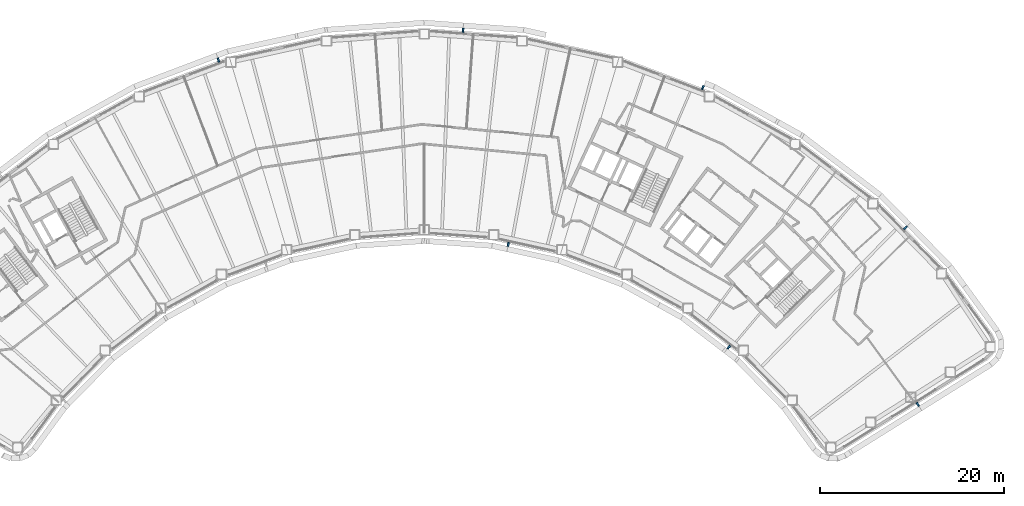
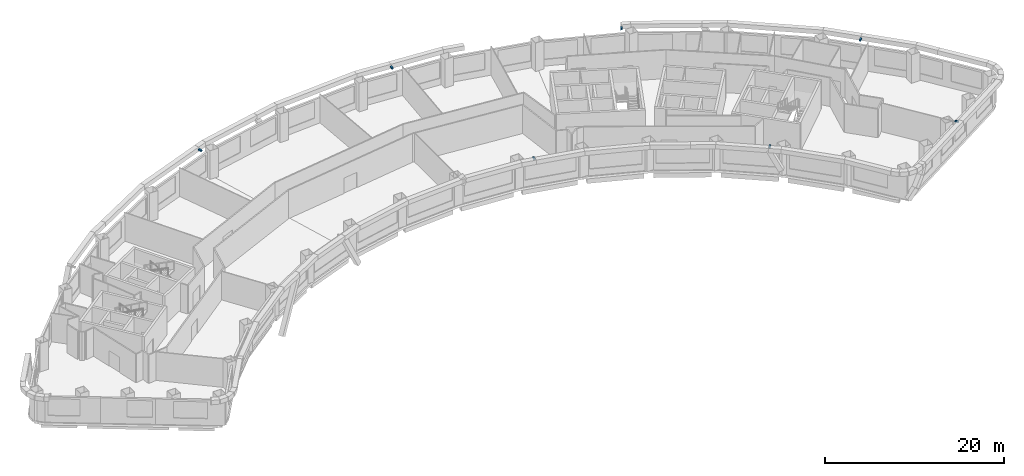
# One storey, part 10 of 13: 7 discrete accessories.
"""IFC4 building model written with IfcOpenShell, lengths in metres."""

from ifc_helpers import new_model, si_unit, direction, frame, origin, origin_2d, place, context, subcontext, project, spatial, rectangle, extrude, material, type_object, element, save


model = new_model("IFC4")

# Units and contexts
model_context = context("Model", 3, precision=1e-05, world=origin(), true_north=direction((0.0, 1.0)))
body_context = subcontext(model_context, "Body", "Model", "MODEL_VIEW")
ifc_project = project(units=[si_unit("LENGTHUNIT", "METRE"), si_unit("AREAUNIT", "SQUARE_METRE"), si_unit("VOLUMEUNIT", "CUBIC_METRE"), si_unit("PLANEANGLEUNIT", "RADIAN"), si_unit("MASSUNIT", "GRAM", prefix="KILO")], contexts=[model_context])

# Site, building, storey
site_placement = place(None, origin())
site = spatial("IfcSite", under=ifc_project, at=site_placement, CompositionType="ELEMENT")
building_placement = place(site_placement, origin())
building = spatial("IfcBuilding", under=site, at=building_placement, Name="Tuul Gate Civic Tower", CompositionType="ELEMENT")
storey_placement = place(building_placement, frame((0.0, 0.0, 111.89990234375)))
storey = spatial("IfcBuildingStorey", under=building, at=storey_placement, Name="Level 25", CompositionType="ELEMENT", Elevation=111.89990234375)

# Discrete accessories
ifc_material = material(Name="Stainless steel", Category="steel")
discrete_accessory_type = type_object("IfcDiscreteAccessoryType", Name="Screen bracket", PredefinedType="BRACKET", material=ifc_material)
discrete_accessory_1_placement = place(storey_placement, frame((62.26416015625, -7.44921875, 3.75), z_axis=(0.0, 0.0, 1.0), x_axis=(0.704912803401, 0.709293972624, 0.0)))
element("IfcDiscreteAccessory", 1, at=discrete_accessory_1_placement, inside=storey, type_object=discrete_accessory_type, Name="Screen bracket 3", PredefinedType="BRACKET", context=body_context, shape_type="SweptSolid", body=[
    extrude(rectangle(XDim=0.449951171875, YDim=0.199951171875, at=origin_2d()), origin(), (0.0, 0.0, 1.0), 0.199951171875),
])
discrete_accessory_2_placement = place(storey_placement, frame((40.18359375, 7.830078125, 3.75), z_axis=(0.0, 0.0, 1.0), x_axis=(0.407379100768, 0.913259146276, 0.0)))
element("IfcDiscreteAccessory", 2, at=discrete_accessory_2_placement, inside=storey, type_object=discrete_accessory_type, Name="Screen bracket 6", PredefinedType="BRACKET", context=body_context, shape_type="SweptSolid", body=[
    extrude(rectangle(XDim=0.45068359375, YDim=0.199951171875, at=origin_2d()), origin(), (0.0, 0.0, 1.0), 0.199951171875),
])
discrete_accessory_3_placement = place(storey_placement, frame((14.054443359375, 14.05712890625, 3.75), z_axis=(0.0, 0.0, 1.0), x_axis=(0.056821733732, 0.998384340109, 0.0)))
element("IfcDiscreteAccessory", 3, at=discrete_accessory_3_placement, inside=storey, type_object=discrete_accessory_type, Name="Screen bracket 9", PredefinedType="BRACKET", context=body_context, shape_type="SweptSolid", body=[
    extrude(rectangle(XDim=0.4501953125, YDim=0.199951171875, at=origin_2d()), origin(), (0.0, 0.0, 1.0), 0.199951171875),
])
discrete_accessory_4_placement = place(storey_placement, frame((-12.60009765625, 10.826904296875, 3.75), z_axis=(0.0, 0.0, 1.0), x_axis=(-0.301043684292, 0.953610350273, 0.0)))
element("IfcDiscreteAccessory", 4, at=discrete_accessory_4_placement, inside=storey, type_object=discrete_accessory_type, Name="Screen bracket 12", PredefinedType="BRACKET", context=body_context, shape_type="SweptSolid", body=[
    extrude(rectangle(XDim=0.45068359375, YDim=0.199951171875, at=origin_2d()), origin(), (0.0, 0.0, 1.0), 0.199951171875),
])
discrete_accessory_5_placement = place(storey_placement, frame((18.977783203125, -9.256103515625, 3.75), z_axis=(0.0, 0.0, 1.0), x_axis=(-0.176684491013, -0.984267540172, 0.0)))
element("IfcDiscreteAccessory", 5, at=discrete_accessory_5_placement, inside=storey, type_object=discrete_accessory_type, Name="Screen bracket 27", PredefinedType="BRACKET", context=body_context, shape_type="SweptSolid", body=[
    extrude(rectangle(XDim=0.4501953125, YDim=0.199951171875, at=origin_2d()), origin(), (0.0, 0.0, 1.0), 0.199951171875),
])
discrete_accessory_6_placement = place(storey_placement, frame((43.00732421875, -20.455810546875, 3.75), z_axis=(0.0, 0.0, 1.0), x_axis=(-0.640758470352, -0.767742523684, 0.0)))
element("IfcDiscreteAccessory", 6, at=discrete_accessory_6_placement, inside=storey, type_object=discrete_accessory_type, Name="Screen bracket 30", PredefinedType="BRACKET", context=body_context, shape_type="SweptSolid", body=[
    extrude(rectangle(XDim=0.450439453125, YDim=0.199951171875, at=origin_2d()), origin(), (0.0, 0.0, 1.0), 0.199951171875),
])
discrete_accessory_7_placement = place(storey_placement, frame((63.60986328125, -26.6943359375, 3.75), z_axis=(0.0, 0.0, 1.0), x_axis=(0.536517747966, -0.843889036614, 0.0)))
element("IfcDiscreteAccessory", 7, at=discrete_accessory_7_placement, inside=storey, type_object=discrete_accessory_type, Name="Screen bracket 33", PredefinedType="BRACKET", context=body_context, shape_type="SweptSolid", body=[
    extrude(rectangle(XDim=0.449951171875, YDim=0.199951171875, at=origin_2d()), origin(), (0.0, 0.0, 1.0), 0.199951171875),
])

save(model, "model.ifc")
